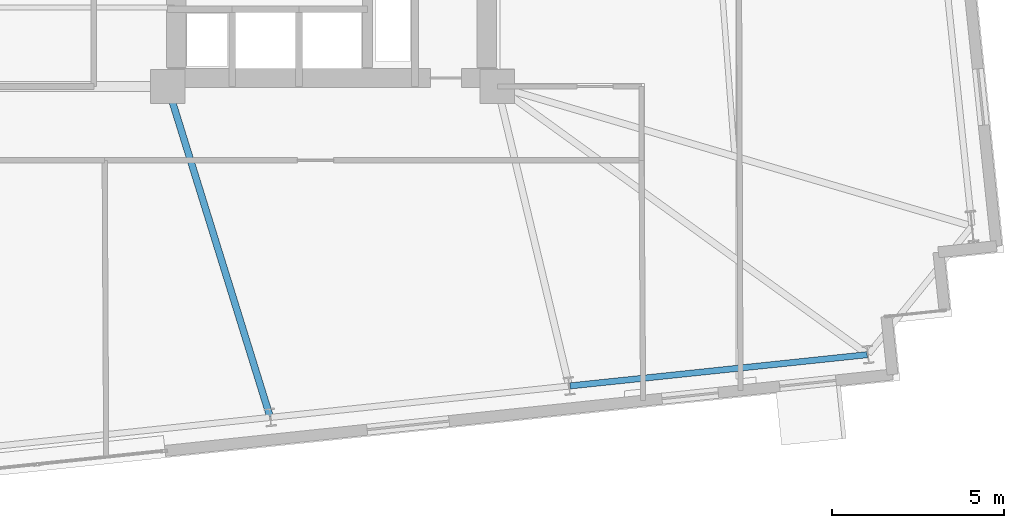
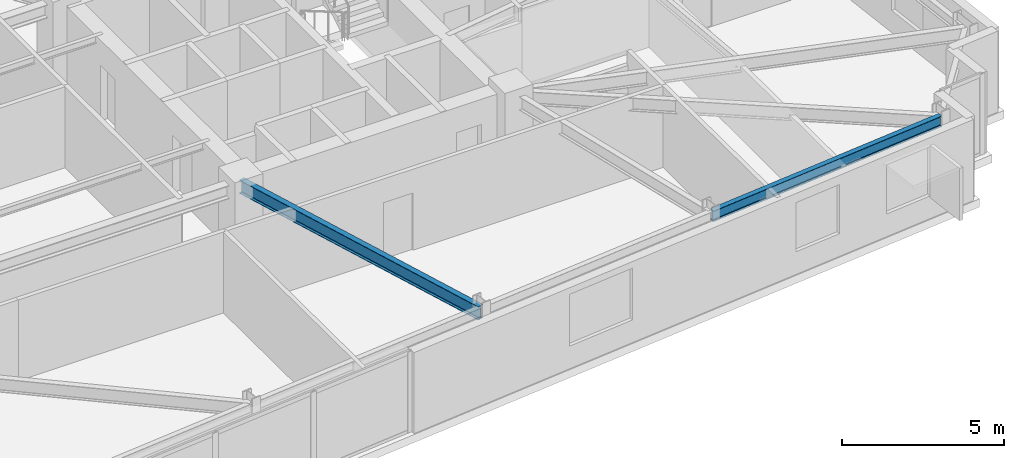
# One storey, part 9 of 23: 2 beams.
"""IFC4 building model written with IfcOpenShell, lengths in metres."""

from ifc_helpers import new_model, si_unit, direction, frame, origin, origin_2d, place, context, subcontext, project, spatial, i_section, extrude, material, material_profile, profile_set, type_object, element, save


model = new_model("IFC4")

# Units and contexts
model_context = context("Model", 3, precision=1e-05, world=origin(), true_north=direction((0.0, 1.0)))
body_context = subcontext(model_context, "Body", "Model", "MODEL_VIEW")
ifc_project = project(units=[si_unit("LENGTHUNIT", "METRE"), si_unit("AREAUNIT", "SQUARE_METRE"), si_unit("VOLUMEUNIT", "CUBIC_METRE"), si_unit("PLANEANGLEUNIT", "RADIAN"), si_unit("MASSUNIT", "GRAM", prefix="KILO")], contexts=[model_context])

# Site, building, storey
site_placement = place(None, origin())
site = spatial("IfcSite", under=ifc_project, at=site_placement, CompositionType="ELEMENT")
building_placement = place(site_placement, origin())
building = spatial("IfcBuilding", under=site, at=building_placement, Name="Qobustan Lattice House", CompositionType="ELEMENT")
storey_placement = place(building_placement, frame((0.0, 0.0, 102.449951171875)))
storey = spatial("IfcBuildingStorey", under=building, at=storey_placement, Name="L28", CompositionType="ELEMENT", Elevation=102.449951171875)

# Beams
ifc_material_1 = material(Name="Steel S355", Category="steel")
ifc_material_profile_1 = material_profile(ifc_material_1, i_section(OverallWidth=0.199951171875, OverallDepth=0.5, WebThickness=0.01025390625, FlangeThickness=0.01611328125, FilletRadius=0.02099609375, at=origin_2d()), Name="IPE500")
ifc_profile_set_1 = profile_set([ifc_material_profile_1], Name="Steel S355")
beam_type_1 = type_object("IfcBeamType", Name="BM-FLG-IPE500", PredefinedType="USERDEFINED", material=ifc_profile_set_1)
beam_1_placement = place(storey_placement, frame((12.181396484375, -15.212646484375, 2.795166015625), z_axis=(-0.296219460995, 0.955119903953, 0.0), x_axis=(-0.955119903953, -0.296219460995, 0.0)))
element("IfcBeam", 1, at=beam_1_placement, inside=storey, type_object=beam_type_1, Name="L28 primary floor girder RAD-S5", ObjectType="GIRDER", PredefinedType="USERDEFINED", context=body_context, shape_type="SweptSolid", body=[
    extrude(i_section(OverallWidth=0.199951171875, OverallDepth=0.5, WebThickness=0.01025390625, FlangeThickness=0.01611328125, FilletRadius=0.02099609375, at=origin_2d()), origin(), (0.0, 0.0, 1.0), 10.03955078125),
])
ifc_material_2 = material(Name="Steel S355", Category="steel")
ifc_material_profile_2 = material_profile(ifc_material_2, i_section(OverallWidth=0.179931640625, OverallDepth=0.39990234375, WebThickness=0.008544921875, FlangeThickness=0.013427734375, FilletRadius=0.02099609375, at=origin_2d()), Name="IPE400")
ifc_profile_set_2 = profile_set([ifc_material_profile_2], Name="Steel S355")
beam_type_2 = type_object("IfcBeamType", Name="BM-SPD-IPE400", PredefinedType="SPANDREL", material=ifc_profile_set_2)
beam_2_placement = place(storey_placement, frame((20.915771484375, -14.3193359375, 2.844970703125), z_axis=(0.994521586424, 0.104531402636, 0.0), x_axis=(-0.104531402636, 0.994521586424, 0.0)))
element("IfcBeam", 2, at=beam_2_placement, inside=storey, type_object=beam_type_2, Name="L28 perimeter spandrel S6-S7", PredefinedType="SPANDREL", context=body_context, shape_type="SweptSolid", body=[
    extrude(i_section(OverallWidth=0.179931640625, OverallDepth=0.39990234375, WebThickness=0.008544921875, FlangeThickness=0.013427734375, FilletRadius=0.02099609375, at=origin_2d()), origin(), (0.0, 0.0, 1.0), 8.699951171875),
])

save(model, "model.ifc")
